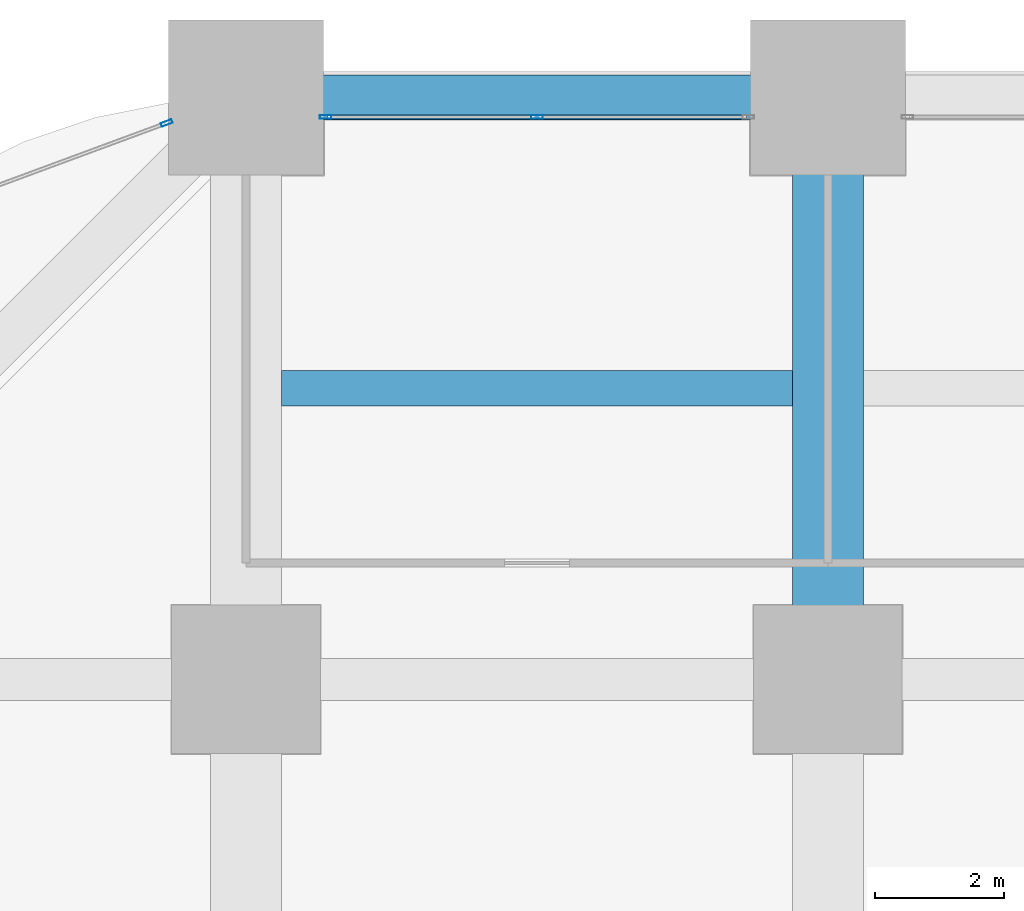
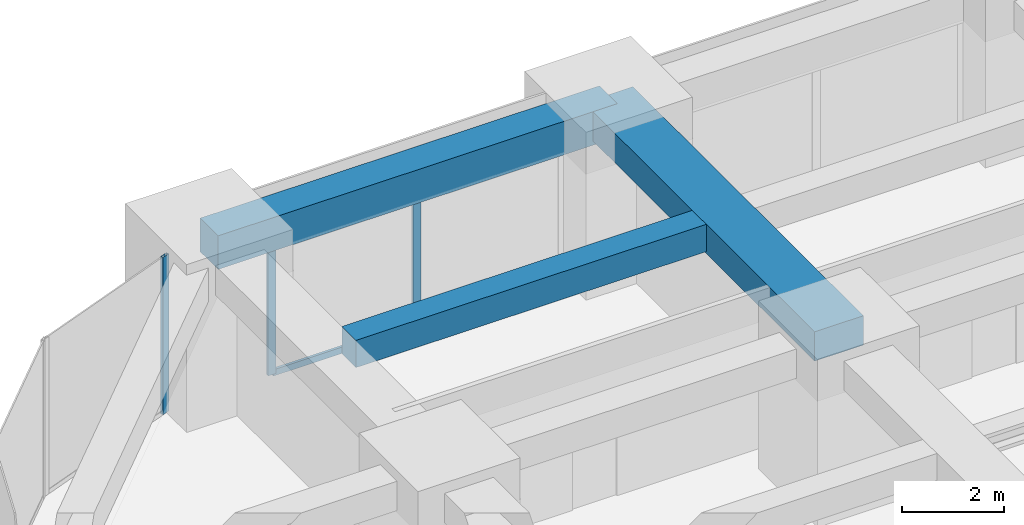
# One storey, part 28 of 45: 4 members, 3 beams, 2 elements without a shape of their own.
"""IFC4 building model written with IfcOpenShell, lengths in metres."""

from ifc_helpers import new_model, si_unit, direction, frame, origin, origin_2d, place, context, subcontext, project, spatial, rectangle, hollow_rectangle, extrude, material, material_profile, profile_set, type_object, element, aggregate, save


model = new_model("IFC4")

# Units and contexts
model_context = context("Model", 3, precision=1e-05, world=origin(), true_north=direction((0.0, 1.0)))
body_context = subcontext(model_context, "Body", "Model", "MODEL_VIEW")
ifc_project = project(units=[si_unit("LENGTHUNIT", "METRE"), si_unit("AREAUNIT", "SQUARE_METRE"), si_unit("VOLUMEUNIT", "CUBIC_METRE"), si_unit("PLANEANGLEUNIT", "RADIAN"), si_unit("MASSUNIT", "GRAM", prefix="KILO")], contexts=[model_context])

# Site, building, storey
site_placement = place(None, origin())
site = spatial("IfcSite", under=ifc_project, at=site_placement, CompositionType="ELEMENT")
building_placement = place(site_placement, origin())
building = spatial("IfcBuilding", under=site, at=building_placement, Name="Zorevar Civic Tower", CompositionType="ELEMENT")
storey_placement = place(building_placement, frame((0.0, 0.0, 23.800048828125)))
storey = spatial("IfcBuildingStorey", under=building, at=storey_placement, Name="L05", CompositionType="ELEMENT", Elevation=23.800048828125)

# Beams
ifc_material_1 = material(Name="Concrete C50/60", Category="concrete")
ifc_material_profile_1 = material_profile(ifc_material_1, rectangle(XDim=1.10009765625, YDim=0.699951171875, at=origin_2d()), Name="RC 1100x700")
ifc_profile_set_1 = profile_set([ifc_material_profile_1], Name="Concrete C50/60")
beam_type_1 = type_object("IfcBeamType", Name="Beam RC 1100x700", PredefinedType="BEAM", material=ifc_profile_set_1)
beam_1_placement = place(storey_placement, frame((18.0, 45.0, 3.39990234375), z_axis=(0.0, 1.0, 0.0), x_axis=(-1.0, 0.0, 0.0)))
element("IfcBeam", 1, at=beam_1_placement, inside=storey, type_object=beam_type_1, Name="Girder L06", PredefinedType="BEAM", context=body_context, shape_type="SweptSolid", body=[
    extrude(rectangle(XDim=1.10009765625, YDim=0.699951171875, at=origin_2d()), origin(), (0.0, 0.0, 1.0), 9.0),
])
ifc_material_2 = material(Name="Concrete C50/60", Category="concrete")
ifc_material_profile_2 = material_profile(ifc_material_2, rectangle(XDim=0.550048828125, YDim=0.64990234375, at=origin_2d()), Name="RC 550x650")
ifc_profile_set_2 = profile_set([ifc_material_profile_2], Name="Concrete C50/60")
beam_type_2 = type_object("IfcBeamType", Name="Beam RC 550x650", PredefinedType="BEAM", material=ifc_profile_set_2)
beam_2_placement = place(storey_placement, frame((9.550048828125, 49.5, 3.425048828125), z_axis=(1.0, 0.0, 0.0), x_axis=(0.0, 1.0, 0.0)))
element("IfcBeam", 2, at=beam_2_placement, inside=storey, type_object=beam_type_2, Name="Secondary beam L06", PredefinedType="BEAM", context=body_context, shape_type="SweptSolid", body=[
    extrude(rectangle(XDim=0.550048828125, YDim=0.64990234375, at=origin_2d()), origin(), (0.0, 0.0, 1.0), 7.89990234375),
])

# Curtain wall, members
ifc_material_3 = material(Name="Dark grey solar-control glass in black aluminium frame", Category="aluminium")
curtain_wall_type = type_object("IfcCurtainWallType", Name="Curtain wall CW2 low zone", PredefinedType="NOTDEFINED", material=ifc_material_3)
curtain_wall_1_placement = place(storey_placement, origin())
curtain_wall_1 = element("IfcCurtainWall", 3, at=curtain_wall_1_placement, inside=storey, type_object=curtain_wall_type, Name="CW2 L05", PredefinedType="NOTDEFINED")
ifc_material_4 = material(Name="Aluminium, black anodised", Category="aluminium")
ifc_material_profile_3 = material_profile(ifc_material_4, hollow_rectangle(XDim=0.06005859375, YDim=0.179931640625, WallThickness=0.00390625, at=origin_2d()), Name="AL 180x60x4")
ifc_profile_set_3 = profile_set([ifc_material_profile_3], Name="Aluminium, black anodised")
member_type_1 = type_object("IfcMemberType", Name="CW2 mullion AL 180x60x4", PredefinedType="MULLION", material=ifc_profile_set_3)
member_1_placement = place(storey_placement, frame((10.22998046875, 53.699951171875, 0.0), z_axis=(0.0, 0.0, 1.0), x_axis=(0.0, 1.0, 0.0)))
member_1 = element("IfcMember", 4, at=member_1_placement, type_object=member_type_1, Name="CW2 mullion 1", PredefinedType="MULLION", context=body_context, shape_type="SweptSolid", body=[
    extrude(hollow_rectangle(XDim=0.06005859375, YDim=0.179931640625, WallThickness=0.00390625, at=origin_2d()), origin(), (0.0, 0.0, 1.0), 2.949951171875),
])
member_2_placement = place(storey_placement, frame((13.5, 53.699951171875, 0.06005859375), z_axis=(0.0, 0.0, 1.0), x_axis=(0.0, 1.0, 0.0)))
member_2 = element("IfcMember", 5, at=member_2_placement, type_object=member_type_1, Name="CW2 mullion 2", PredefinedType="MULLION", context=body_context, shape_type="SweptSolid", body=[
    extrude(hollow_rectangle(XDim=0.06005859375, YDim=0.179931640625, WallThickness=0.00390625, at=origin_2d()), origin(), (0.0, 0.0, 1.0), 2.889892578125),
])

# Curtain wall, member
curtain_wall_2_placement = place(storey_placement, origin())
curtain_wall_2 = element("IfcCurtainWall", 6, at=curtain_wall_2_placement, inside=storey, type_object=curtain_wall_type, Name="CW2 L05", PredefinedType="NOTDEFINED")
member_3_placement = place(storey_placement, frame((7.77197265625, 53.6064453125, 0.0), z_axis=(0.0, 0.0, 1.0), x_axis=(0.346704012033, -0.937974588163, 0.0)))
member_3 = element("IfcMember", 7, at=member_3_placement, type_object=member_type_1, Name="CW2 mullion 1", PredefinedType="MULLION", context=body_context, shape_type="SweptSolid", body=[
    extrude(hollow_rectangle(XDim=0.06005859375, YDim=0.179931640625, WallThickness=0.00390625, at=origin_2d()), origin(), (0.0, 0.0, 1.0), 3.75),
])
aggregate(curtain_wall_2, [member_3])

# Member
ifc_material_5 = material(Name="Aluminium, black anodised", Category="aluminium")
ifc_material_profile_4 = material_profile(ifc_material_5, hollow_rectangle(XDim=0.06005859375, YDim=0.14990234375, WallThickness=0.00390625, at=origin_2d()), Name="AL 150x60x4")
ifc_profile_set_4 = profile_set([ifc_material_profile_4], Name="Aluminium, black anodised")
member_type_2 = type_object("IfcMemberType", Name="CW2 transom AL 150x60x4", PredefinedType="USERDEFINED", material=ifc_profile_set_4)
member_4_placement = place(storey_placement, frame((10.260009765625, 53.699951171875, 0.030029296875), z_axis=(1.0, 0.0, 0.0), x_axis=(0.0, 1.0, 0.0)))
member_4 = element("IfcMember", 8, at=member_4_placement, type_object=member_type_2, Name="CW2 sill transom", ObjectType="TRANSOM", PredefinedType="USERDEFINED", context=body_context, shape_type="SweptSolid", body=[
    extrude(hollow_rectangle(XDim=0.06005859375, YDim=0.14990234375, WallThickness=0.00390625, at=origin_2d()), origin(), (0.0, 0.0, 1.0), 6.47998046875),
])

aggregate(curtain_wall_1, [member_1, member_2, member_4])

# Beam
ifc_material_6 = material(Name="Concrete C50/60", Category="concrete")
ifc_material_profile_5 = material_profile(ifc_material_6, rectangle(XDim=0.699951171875, YDim=0.800048828125, at=origin_2d()), Name="RC 700x800")
ifc_profile_set_5 = profile_set([ifc_material_profile_5], Name="Concrete C50/60")
beam_type_3 = type_object("IfcBeamType", Name="Edge beam RC 700x800", PredefinedType="SPANDREL", material=ifc_profile_set_5)
beam_3_placement = place(storey_placement, frame((9.0, 54.0, 3.349853515625), z_axis=(1.0, 0.0, 0.0), x_axis=(0.0, 1.0, 0.0)))
element("IfcBeam", 9, at=beam_3_placement, inside=storey, type_object=beam_type_3, Name="Edge beam L06", PredefinedType="SPANDREL", context=body_context, shape_type="SweptSolid", body=[
    extrude(rectangle(XDim=0.699951171875, YDim=0.800048828125, at=origin_2d()), origin(), (0.0, 0.0, 1.0), 9.0),
])

save(model, "model.ifc")
